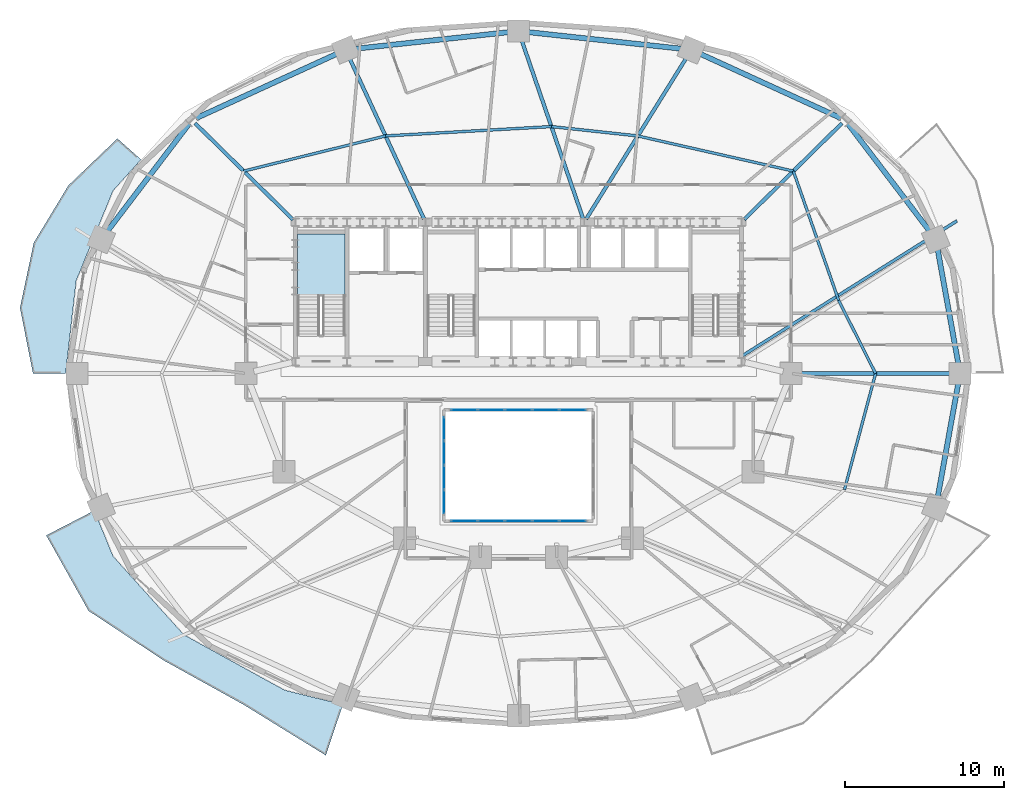
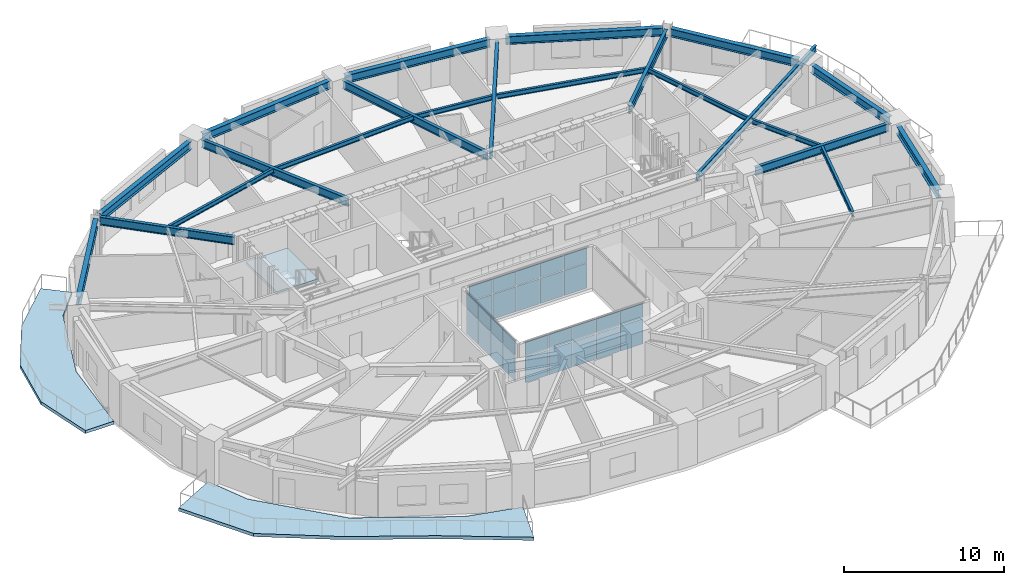
# One storey, part 6 of 16: 28 plates, 22 beams, 3 slabs, 4 elements without a shape of their own.
"""IFC4 building model written with IfcOpenShell, lengths in metres."""

from ifc_helpers import new_model, si_unit, direction, frame, origin, origin_2d, place, context, subcontext, project, spatial, polyline, rectangle, i_section, outline, extrude, material, layer, layer_set, material_profile, profile_set, type_object, element, aggregate, save


model = new_model("IFC4")

# Units and contexts
model_context = context("Model", 3, precision=1e-05, world=origin(), true_north=direction((0.0, 1.0)))
body_context = subcontext(model_context, "Body", "Model", "MODEL_VIEW")
ifc_project = project(units=[si_unit("LENGTHUNIT", "METRE"), si_unit("AREAUNIT", "SQUARE_METRE"), si_unit("VOLUMEUNIT", "CUBIC_METRE"), si_unit("PLANEANGLEUNIT", "RADIAN"), si_unit("MASSUNIT", "GRAM", prefix="KILO")], contexts=[model_context])

# Site, building, storey
site_placement = place(None, origin())
site = spatial("IfcSite", under=ifc_project, at=site_placement, CompositionType="ELEMENT")
building_placement = place(site_placement, origin())
building = spatial("IfcBuilding", under=site, at=building_placement, Name="Haldorwick Loom Tower", CompositionType="ELEMENT")
storey_placement = place(building_placement, frame((0.0, 0.0, 88.699951171875)))
storey = spatial("IfcBuildingStorey", under=building, at=storey_placement, Name="L23", CompositionType="ELEMENT", Elevation=88.699951171875)

# Beams
ifc_material_1 = material(Name="Steel CSA G40.21 350W", Category="steel")
ifc_material_profile_1 = material_profile(ifc_material_1, i_section(OverallWidth=0.193115234375, OverallDepth=0.466064453125, WebThickness=0.011474609375, FlangeThickness=0.01904296875, at=origin_2d()), Name="W460X97", Category="steel")
ifc_profile_set_1 = profile_set([ifc_material_profile_1], Name="Steel CSA G40.21 350W")
beam_type_1 = type_object("IfcBeamType", Name="STR-BM-BAL460", PredefinedType="BEAM", material=ifc_profile_set_1)
beam_1_placement = place(storey_placement, frame((50.111572265625, 27.106689453125, 2.97705078125), z_axis=(0.846609845451, 0.532214026108, 0.0), x_axis=(-0.532214026108, 0.846609845451, 0.0)))
element("IfcBeam", 1, at=beam_1_placement, inside=storey, type_object=beam_type_1, Name="L23 Continuous Back-Spanned Balcony Beam 4", PredefinedType="BEAM", context=body_context, shape_type="SweptSolid", body=[
    extrude(i_section(OverallWidth=0.193115234375, OverallDepth=0.466064453125, WebThickness=0.011474609375, FlangeThickness=0.01904296875, at=origin_2d()), origin(), (0.0, 0.0, 1.0), 16.0068359375),
])
ifc_material_profile_2 = material_profile(ifc_material_1, i_section(OverallWidth=0.172119140625, OverallDepth=0.35791015625, WebThickness=0.0078125, FlangeThickness=0.01318359375, at=origin_2d()), Name="W360X57", Category="steel")
ifc_profile_set_2 = profile_set([ifc_material_profile_2], Name="Steel CSA G40.21 350W")
beam_type_2 = type_object("IfcBeamType", Name="STR-BM-J360", PredefinedType="JOIST", material=ifc_profile_set_2)
beam_2_placement = place(storey_placement, frame((58.52880859375, 26.0, 3.031005859375), z_axis=(-0.451373231558, 0.892335254169, 0.0), x_axis=(-0.892335254169, -0.451373231558, 0.0)))
element("IfcBeam", 2, at=beam_2_placement, inside=storey, type_object=beam_type_2, Name="L23 Mid-Bay Secondary Joist 1", PredefinedType="JOIST", context=body_context, shape_type="SweptSolid", body=[
    extrude(i_section(OverallWidth=0.172119140625, OverallDepth=0.35791015625, WebThickness=0.0078125, FlangeThickness=0.01318359375, at=origin_2d()), origin(), (0.0, 0.0, 1.0), 5.158935546875),
])
beam_3_placement = place(storey_placement, frame((56.2001953125, 30.603515625, 3.031005859375), z_axis=(-0.330864603503, 0.943678236556, 0.0), x_axis=(-0.943678236556, -0.330864603503, 0.0)))
element("IfcBeam", 3, at=beam_3_placement, inside=storey, type_object=beam_type_2, Name="L23 Mid-Bay Secondary Joist 2", PredefinedType="JOIST", context=body_context, shape_type="SweptSolid", body=[
    extrude(i_section(OverallWidth=0.172119140625, OverallDepth=0.35791015625, WebThickness=0.0078125, FlangeThickness=0.01318359375, at=origin_2d()), origin(), (0.0, 0.0, 1.0), 8.6494140625),
])
beam_4_placement = place(storey_placement, frame((53.33837890625, 38.765869140625, 3.031005859375), z_axis=(-0.975380231772, 0.22052982444, 0.0), x_axis=(-0.22052982444, -0.975380231772, 0.0)))
element("IfcBeam", 4, at=beam_4_placement, inside=storey, type_object=beam_type_2, Name="L23 Mid-Bay Secondary Joist 3", PredefinedType="JOIST", context=body_context, shape_type="SweptSolid", body=[
    extrude(i_section(OverallWidth=0.172119140625, OverallDepth=0.35791015625, WebThickness=0.0078125, FlangeThickness=0.01318359375, at=origin_2d()), origin(), (0.0, 0.0, 1.0), 10.0576171875),
])
beam_5_placement = place(storey_placement, frame((43.5283203125, 40.98388671875, 3.031005859375), z_axis=(-0.994191869342, 0.107622148904, 0.0), x_axis=(-0.107622148904, -0.994191869342, 0.0)))
element("IfcBeam", 5, at=beam_5_placement, inside=storey, type_object=beam_type_2, Name="L23 Mid-Bay Secondary Joist 4", PredefinedType="JOIST", context=body_context, shape_type="SweptSolid", body=[
    extrude(i_section(OverallWidth=0.172119140625, OverallDepth=0.35791015625, WebThickness=0.0078125, FlangeThickness=0.01318359375, at=origin_2d()), origin(), (0.0, 0.0, 1.0), 5.485107421875),
])
beam_6_placement = place(storey_placement, frame((38.074951171875, 41.57421875, 3.031005859375), z_axis=(-0.998412171013, -0.056330602457, 0.0), x_axis=(0.056330602457, -0.998412171013, 0.0)))
element("IfcBeam", 6, at=beam_6_placement, inside=storey, type_object=beam_type_2, Name="L23 Mid-Bay Secondary Joist 5", PredefinedType="JOIST", context=body_context, shape_type="SweptSolid", body=[
    extrude(i_section(OverallWidth=0.172119140625, OverallDepth=0.35791015625, WebThickness=0.0078125, FlangeThickness=0.01318359375, at=origin_2d()), origin(), (0.0, 0.0, 1.0), 10.479736328125),
])
beam_7_placement = place(storey_placement, frame((27.61181640625, 40.98388671875, 3.031005859375), z_axis=(-0.970638838364, -0.240541567009, 0.0), x_axis=(0.240541567009, -0.970638838364, 0.0)))
element("IfcBeam", 7, at=beam_7_placement, inside=storey, type_object=beam_type_2, Name="L23 Mid-Bay Secondary Joist 6", PredefinedType="JOIST", context=body_context, shape_type="SweptSolid", body=[
    extrude(i_section(OverallWidth=0.172119140625, OverallDepth=0.35791015625, WebThickness=0.0078125, FlangeThickness=0.01318359375, at=origin_2d()), origin(), (0.0, 0.0, 1.0), 9.220947265625),
])
beam_8_placement = place(storey_placement, frame((56.565185546875, 18.67138671875, 3.031005859375), z_axis=(0.258810072536, 0.965928230436, 0.0), x_axis=(-0.965928230436, 0.258810072536, 0.0)))
element("IfcBeam", 8, at=beam_8_placement, inside=storey, type_object=beam_type_2, Name="L23 Mid-Bay Secondary Joist 16", PredefinedType="JOIST", context=body_context, shape_type="SweptSolid", body=[
    extrude(i_section(OverallWidth=0.172119140625, OverallDepth=0.35791015625, WebThickness=0.0078125, FlangeThickness=0.01318359375, at=origin_2d()), origin(), (0.0, 0.0, 1.0), 7.587158203125),
])
ifc_material_profile_3 = material_profile(ifc_material_1, i_section(OverallWidth=0.324951171875, OverallDepth=0.615966796875, WebThickness=0.013916015625, FlangeThickness=0.021484375, at=origin_2d()), Name="W610X174", Category="steel")
ifc_profile_set_3 = profile_set([ifc_material_profile_3], Name="Steel CSA G40.21 350W")
beam_type_3 = type_object("IfcBeamType", Name="STR-BM-SP610", PredefinedType="SPANDREL", material=ifc_profile_set_3)
beam_9_placement = place(storey_placement, frame((63.76513671875, 26.51171875, 2.902099609375), z_axis=(-0.177659490888, 0.984092020747, 0.0), x_axis=(-0.984092020747, -0.177659490888, 0.0)))
element("IfcBeam", 9, at=beam_9_placement, inside=storey, type_object=beam_type_3, Name="L23 Perimeter Spandrel 1", PredefinedType="SPANDREL", context=body_context, shape_type="SweptSolid", body=[
    extrude(i_section(OverallWidth=0.324951171875, OverallDepth=0.615966796875, WebThickness=0.013916015625, FlangeThickness=0.021484375, at=origin_2d()), origin(), (0.0, 0.0, 1.0), 7.553955078125),
])
beam_10_placement = place(storey_placement, frame((62.015869140625, 34.87109375, 2.902099609375), z_axis=(-0.605453508047, 0.795880675475, 0.0), x_axis=(-0.795880675475, -0.605453508047, 0.0)))
element("IfcBeam", 10, at=beam_10_placement, inside=storey, type_object=beam_type_3, Name="L23 Perimeter Spandrel 2", PredefinedType="SPANDREL", context=body_context, shape_type="SweptSolid", body=[
    extrude(i_section(OverallWidth=0.324951171875, OverallDepth=0.615966796875, WebThickness=0.013916015625, FlangeThickness=0.021484375, at=origin_2d()), origin(), (0.0, 0.0, 1.0), 8.6591796875),
])
beam_11_placement = place(storey_placement, frame((56.356689453125, 42.09619140625, 2.902099609375), z_axis=(-0.909423969306, 0.415870225011, 0.0), x_axis=(-0.415870225011, -0.909423969306, 0.0)))
element("IfcBeam", 11, at=beam_11_placement, inside=storey, type_object=beam_type_3, Name="L23 Perimeter Spandrel 3", PredefinedType="SPANDREL", context=body_context, shape_type="SweptSolid", body=[
    extrude(i_section(OverallWidth=0.324951171875, OverallDepth=0.615966796875, WebThickness=0.013916015625, FlangeThickness=0.021484375, at=origin_2d()), origin(), (0.0, 0.0, 1.0), 9.871337890625),
])
for number, where, z_axis, x_axis, name in (
    (12, (46.389404296875, 46.4736328125, 2.902099609375), (-0.994190135627, 0.107638163409, 0.0), (-0.107638163409, -0.994190135627, 0.0), "L23 Perimeter Spandrel 4"),
    (13, (35.48291015625, 47.54248046875, 2.902099609375), (-0.994190135627, -0.107638163409, 0.0), (0.107638163409, -0.994190135627, 0.0), "L23 Perimeter Spandrel 5"),
):
    element("IfcBeam", number, at=place(storey_placement, frame(where, z_axis=z_axis, x_axis=x_axis)), inside=storey, type_object=beam_type_3, Name=name, PredefinedType="SPANDREL", context=body_context, shape_type="SweptSolid", body=[
        extrude(i_section(OverallWidth=0.324951171875, OverallDepth=0.615966796875, WebThickness=0.013916015625, FlangeThickness=0.021484375, at=origin_2d()), origin(), (0.0, 0.0, 1.0), 9.929931640625),
    ])
beam_12_placement = place(storey_placement, frame((24.62060546875, 46.201416015625, 2.902099609375), z_axis=(-0.909423969306, -0.415870225011, 0.0), x_axis=(0.415870225011, -0.909423969306, 0.0)))
element("IfcBeam", 14, at=beam_12_placement, inside=storey, type_object=beam_type_3, Name="L23 Perimeter Spandrel 6", PredefinedType="SPANDREL", context=body_context, shape_type="SweptSolid", body=[
    extrude(i_section(OverallWidth=0.324951171875, OverallDepth=0.615966796875, WebThickness=0.013916015625, FlangeThickness=0.021484375, at=origin_2d()), origin(), (0.0, 0.0, 1.0), 9.871337890625),
])
beam_13_placement = place(storey_placement, frame((15.226806640625, 41.7626953125, 2.902099609375), z_axis=(-0.605453508047, -0.795880675475, 0.0), x_axis=(0.795880675475, -0.605453508047, 0.0)))
element("IfcBeam", 15, at=beam_13_placement, inside=storey, type_object=beam_type_3, Name="L23 Perimeter Spandrel 7", PredefinedType="SPANDREL", context=body_context, shape_type="SweptSolid", body=[
    extrude(i_section(OverallWidth=0.324951171875, OverallDepth=0.615966796875, WebThickness=0.013916015625, FlangeThickness=0.021484375, at=origin_2d()), origin(), (0.0, 0.0, 1.0), 8.6591796875),
])
beam_14_placement = place(storey_placement, frame((62.423095703125, 18.054443359375, 2.902099609375), z_axis=(0.177659490888, 0.984092020747, 0.0), x_axis=(-0.984092020747, 0.177659490888, 0.0)))
element("IfcBeam", 16, at=beam_14_placement, inside=storey, type_object=beam_type_3, Name="L23 Perimeter Spandrel 16", PredefinedType="SPANDREL", context=body_context, shape_type="SweptSolid", body=[
    extrude(i_section(OverallWidth=0.324951171875, OverallDepth=0.615966796875, WebThickness=0.013916015625, FlangeThickness=0.021484375, at=origin_2d()), origin(), (0.0, 0.0, 1.0), 7.553955078125),
])
ifc_material_profile_4 = material_profile(ifc_material_1, i_section(OverallWidth=0.22998046875, OverallDepth=0.616943359375, WebThickness=0.01318359375, FlangeThickness=0.022216796875, at=origin_2d()), Name="W610X140", Category="steel")
ifc_profile_set_4 = profile_set([ifc_material_profile_4], Name="Steel CSA G40.21 350W")
beam_type_4 = type_object("IfcBeamType", Name="STR-BM-W610B", PredefinedType="BEAM", material=ifc_profile_set_4)
beam_15_placement = place(storey_placement, frame((53.719970703125, 26.0, 2.901611328125), z_axis=(1.0, 0.0, 0.0), x_axis=(0.0, 1.0, 0.0)))
element("IfcBeam", 17, at=beam_15_placement, inside=storey, type_object=beam_type_4, Name="L23 Radial Floor Girder 1", PredefinedType="BEAM", context=body_context, shape_type="SweptSolid", body=[
    extrude(i_section(OverallWidth=0.22998046875, OverallDepth=0.616943359375, WebThickness=0.01318359375, FlangeThickness=0.022216796875, at=origin_2d()), origin(), (0.0, 0.0, 1.0), 9.61767578125),
])
beam_16_placement = place(storey_placement, frame((50.23046875, 35.707763671875, 2.901611328125), z_axis=(0.712813667541, 0.701353459653, 0.0), x_axis=(-0.701353459653, 0.712813667541, 0.0)))
element("IfcBeam", 18, at=beam_16_placement, inside=storey, type_object=beam_type_4, Name="L23 Radial Floor Girder 3", PredefinedType="BEAM", context=body_context, shape_type="SweptSolid", body=[
    extrude(i_section(OverallWidth=0.22998046875, OverallDepth=0.616943359375, WebThickness=0.01318359375, FlangeThickness=0.022216796875, at=origin_2d()), origin(), (0.0, 0.0, 1.0), 8.67041015625),
])
beam_17_placement = place(storey_placement, frame((40.268798828125, 35.7412109375, 2.901611328125), z_axis=(0.527983484361, 0.849254638046, 0.0), x_axis=(-0.849254638046, 0.527983484361, 0.0)))
element("IfcBeam", 19, at=beam_17_placement, inside=storey, type_object=beam_type_4, Name="L23 Radial Floor Girder 4", PredefinedType="BEAM", context=body_context, shape_type="SweptSolid", body=[
    extrude(i_section(OverallWidth=0.22998046875, OverallDepth=0.616943359375, WebThickness=0.01318359375, FlangeThickness=0.022216796875, at=origin_2d()), origin(), (0.0, 0.0, 1.0), 12.051513671875),
])
beam_18_placement = place(storey_placement, frame((40.07666015625, 35.7626953125, 2.901611328125), z_axis=(-0.325673980289, 0.945482130218, 0.0), x_axis=(-0.945482130218, -0.325673980289, 0.0)))
element("IfcBeam", 20, at=beam_18_placement, inside=storey, type_object=beam_type_4, Name="L23 Radial Floor Girder 5", PredefinedType="BEAM", context=body_context, shape_type="SweptSolid", body=[
    extrude(i_section(OverallWidth=0.22998046875, OverallDepth=0.616943359375, WebThickness=0.01318359375, FlangeThickness=0.022216796875, at=origin_2d()), origin(), (0.0, 0.0, 1.0), 11.998046875),
])
beam_19_placement = place(storey_placement, frame((30.035400390625, 35.754150390625, 2.901611328125), z_axis=(-0.420492432459, 0.907296045536, 0.0), x_axis=(-0.907296045536, -0.420492432459, 0.0)))
element("IfcBeam", 21, at=beam_19_placement, inside=storey, type_object=beam_type_4, Name="L23 Radial Floor Girder 6", PredefinedType="BEAM", context=body_context, shape_type="SweptSolid", body=[
    extrude(i_section(OverallWidth=0.22998046875, OverallDepth=0.616943359375, WebThickness=0.01318359375, FlangeThickness=0.022216796875, at=origin_2d()), origin(), (0.0, 0.0, 1.0), 11.23291015625),
])
beam_20_placement = place(storey_placement, frame((21.76953125, 35.707763671875, 2.901611328125), z_axis=(-0.712813667541, 0.701353459653, 0.0), x_axis=(-0.701353459653, -0.712813667541, 0.0)))
element("IfcBeam", 22, at=beam_20_placement, inside=storey, type_object=beam_type_4, Name="L23 Radial Floor Girder 7", PredefinedType="BEAM", context=body_context, shape_type="SweptSolid", body=[
    extrude(i_section(OverallWidth=0.22998046875, OverallDepth=0.616943359375, WebThickness=0.01318359375, FlangeThickness=0.022216796875, at=origin_2d()), origin(), (0.0, 0.0, 1.0), 8.67041015625),
])

# Curtain wall, plates
ifc_material_2 = material(Name="Thermally Broken Anodized Aluminium Curtain Wall Framing", Category="aluminium")
curtain_wall_type = type_object("IfcCurtainWallType", Name="ARC-CW-03", PredefinedType="NOTDEFINED", material=ifc_material_2)
curtain_wall_1_placement = place(storey_placement, origin())
curtain_wall_1 = element("IfcCurtainWall", 23, at=curtain_wall_1_placement, inside=storey, type_object=curtain_wall_type, Name="L23 Atrium Glazed Screen S", PredefinedType="NOTDEFINED")
ifc_material_3 = material(Name="Triple-Glazed Low-E Argon Insulated Glazing Unit", Category="glass")
ifc_layer_1 = layer(ifc_material_3, 0.04296875, Name="Triple-Glazed Low-E Argon Insulated Glazing Unit", Category="glass")
ifc_layer_set_1 = layer_set([ifc_layer_1], Name="Triple-Glazed Low-E Argon Insulated Glazing Unit")
plate_type = type_object("IfcPlateType", Name="ARC-CWP-03", PredefinedType="CURTAIN_PANEL", material=ifc_layer_set_1)
plate_1_placement = place(storey_placement, frame((39.423583984375, 16.699951171875, 0.066162109375), z_axis=(0.0, 0.0, 1.0), x_axis=(-1.0, 0.0, 0.0)))
plate_1 = element("IfcPlate", 24, at=plate_1_placement, type_object=plate_type, Name="CW-03 panel 1.1", PredefinedType="CURTAIN_PANEL", context=body_context, shape_type="SweptSolid", body=[
    extrude(rectangle(XDim=1.62109375, YDim=0.04296875, at=origin_2d()), origin(), (0.0, 0.0, 1.0), 1.90087890625),
])
plate_2_placement = place(storey_placement, frame((39.423583984375, 16.699951171875, 2.033203125), z_axis=(0.0, 0.0, 1.0), x_axis=(-1.0, 0.0, 0.0)))
plate_2 = element("IfcPlate", 25, at=plate_2_placement, type_object=plate_type, Name="CW-03 panel 1.2", PredefinedType="CURTAIN_PANEL", context=body_context, shape_type="SweptSolid", body=[
    extrude(rectangle(XDim=1.62109375, YDim=0.04296875, at=origin_2d()), origin(), (0.0, 0.0, 1.0), 1.111083984375),
])
plate_3_placement = place(storey_placement, frame((37.719970703125, 16.699951171875, 0.066162109375), z_axis=(0.0, 0.0, 1.0), x_axis=(-1.0, 0.0, 0.0)))
plate_3 = element("IfcPlate", 26, at=plate_3_placement, type_object=plate_type, Name="CW-03 panel 2.1", PredefinedType="CURTAIN_PANEL", context=body_context, shape_type="SweptSolid", body=[
    extrude(rectangle(XDim=1.654052734375, YDim=0.04296875, at=origin_2d()), origin(), (0.0, 0.0, 1.0), 1.90087890625),
])
plate_4_placement = place(storey_placement, frame((37.719970703125, 16.699951171875, 2.033203125), z_axis=(0.0, 0.0, 1.0), x_axis=(-1.0, 0.0, 0.0)))
plate_4 = element("IfcPlate", 27, at=plate_4_placement, type_object=plate_type, Name="CW-03 panel 2.2", PredefinedType="CURTAIN_PANEL", context=body_context, shape_type="SweptSolid", body=[
    extrude(rectangle(XDim=1.654052734375, YDim=0.04296875, at=origin_2d()), origin(), (0.0, 0.0, 1.0), 1.111083984375),
])
plate_5_placement = place(storey_placement, frame((36.0, 16.699951171875, 0.066162109375), z_axis=(0.0, 0.0, 1.0), x_axis=(-1.0, 0.0, 0.0)))
plate_5 = element("IfcPlate", 28, at=plate_5_placement, type_object=plate_type, Name="CW-03 panel 3.1", PredefinedType="CURTAIN_PANEL", context=body_context, shape_type="SweptSolid", body=[
    extrude(rectangle(XDim=1.654052734375, YDim=0.04296875, at=origin_2d()), origin(), (0.0, 0.0, 1.0), 1.90087890625),
])
plate_6_placement = place(storey_placement, frame((36.0, 16.699951171875, 2.033203125), z_axis=(0.0, 0.0, 1.0), x_axis=(-1.0, 0.0, 0.0)))
plate_6 = element("IfcPlate", 29, at=plate_6_placement, type_object=plate_type, Name="CW-03 panel 3.2", PredefinedType="CURTAIN_PANEL", context=body_context, shape_type="SweptSolid", body=[
    extrude(rectangle(XDim=1.654052734375, YDim=0.04296875, at=origin_2d()), origin(), (0.0, 0.0, 1.0), 1.111083984375),
])
plate_7_placement = place(storey_placement, frame((34.280029296875, 16.699951171875, 0.066162109375), z_axis=(0.0, 0.0, 1.0), x_axis=(-1.0, 0.0, 0.0)))
plate_7 = element("IfcPlate", 30, at=plate_7_placement, type_object=plate_type, Name="CW-03 panel 4.1", PredefinedType="CURTAIN_PANEL", context=body_context, shape_type="SweptSolid", body=[
    extrude(rectangle(XDim=1.654052734375, YDim=0.04296875, at=origin_2d()), origin(), (0.0, 0.0, 1.0), 1.90087890625),
])
plate_8_placement = place(storey_placement, frame((34.280029296875, 16.699951171875, 2.033203125), z_axis=(0.0, 0.0, 1.0), x_axis=(-1.0, 0.0, 0.0)))
plate_8 = element("IfcPlate", 31, at=plate_8_placement, type_object=plate_type, Name="CW-03 panel 4.2", PredefinedType="CURTAIN_PANEL", context=body_context, shape_type="SweptSolid", body=[
    extrude(rectangle(XDim=1.654052734375, YDim=0.04296875, at=origin_2d()), origin(), (0.0, 0.0, 1.0), 1.111083984375),
])
plate_9_placement = place(storey_placement, frame((32.576416015625, 16.699951171875, 0.066162109375), z_axis=(0.0, 0.0, 1.0), x_axis=(-1.0, 0.0, 0.0)))
plate_9 = element("IfcPlate", 32, at=plate_9_placement, type_object=plate_type, Name="CW-03 panel 5.1", PredefinedType="CURTAIN_PANEL", context=body_context, shape_type="SweptSolid", body=[
    extrude(rectangle(XDim=1.62109375, YDim=0.04296875, at=origin_2d()), origin(), (0.0, 0.0, 1.0), 1.90087890625),
])
plate_10_placement = place(storey_placement, frame((32.576416015625, 16.699951171875, 2.033203125), z_axis=(0.0, 0.0, 1.0), x_axis=(-1.0, 0.0, 0.0)))
plate_10 = element("IfcPlate", 33, at=plate_10_placement, type_object=plate_type, Name="CW-03 panel 5.2", PredefinedType="CURTAIN_PANEL", context=body_context, shape_type="SweptSolid", body=[
    extrude(rectangle(XDim=1.62109375, YDim=0.04296875, at=origin_2d()), origin(), (0.0, 0.0, 1.0), 1.111083984375),
])
aggregate(curtain_wall_1, [plate_1, plate_2, plate_3, plate_4, plate_5, plate_6, plate_7, plate_8, plate_9, plate_10])

curtain_wall_2_placement = place(storey_placement, origin())
curtain_wall_2 = element("IfcCurtainWall", 34, at=curtain_wall_2_placement, inside=storey, type_object=curtain_wall_type, Name="L23 Atrium Glazed Screen N", PredefinedType="NOTDEFINED")
plate_11_placement = place(storey_placement, frame((32.576416015625, 23.699951171875, 0.066162109375), z_axis=(0.0, 0.0, 1.0), x_axis=(1.0, 0.0, 0.0)))
plate_11 = element("IfcPlate", 35, at=plate_11_placement, type_object=plate_type, Name="CW-03 panel 1.1", PredefinedType="CURTAIN_PANEL", context=body_context, shape_type="SweptSolid", body=[
    extrude(rectangle(XDim=1.62109375, YDim=0.04296875, at=origin_2d()), origin(), (0.0, 0.0, 1.0), 1.90087890625),
])
plate_12_placement = place(storey_placement, frame((32.576416015625, 23.699951171875, 2.033203125), z_axis=(0.0, 0.0, 1.0), x_axis=(1.0, 0.0, 0.0)))
plate_12 = element("IfcPlate", 36, at=plate_12_placement, type_object=plate_type, Name="CW-03 panel 1.2", PredefinedType="CURTAIN_PANEL", context=body_context, shape_type="SweptSolid", body=[
    extrude(rectangle(XDim=1.62109375, YDim=0.04296875, at=origin_2d()), origin(), (0.0, 0.0, 1.0), 1.111083984375),
])
plate_13_placement = place(storey_placement, frame((34.280029296875, 23.699951171875, 0.066162109375), z_axis=(0.0, 0.0, 1.0), x_axis=(1.0, 0.0, 0.0)))
plate_13 = element("IfcPlate", 37, at=plate_13_placement, type_object=plate_type, Name="CW-03 panel 2.1", PredefinedType="CURTAIN_PANEL", context=body_context, shape_type="SweptSolid", body=[
    extrude(rectangle(XDim=1.654052734375, YDim=0.04296875, at=origin_2d()), origin(), (0.0, 0.0, 1.0), 1.90087890625),
])
plate_14_placement = place(storey_placement, frame((34.280029296875, 23.699951171875, 2.033203125), z_axis=(0.0, 0.0, 1.0), x_axis=(1.0, 0.0, 0.0)))
plate_14 = element("IfcPlate", 38, at=plate_14_placement, type_object=plate_type, Name="CW-03 panel 2.2", PredefinedType="CURTAIN_PANEL", context=body_context, shape_type="SweptSolid", body=[
    extrude(rectangle(XDim=1.654052734375, YDim=0.04296875, at=origin_2d()), origin(), (0.0, 0.0, 1.0), 1.111083984375),
])
plate_15_placement = place(storey_placement, frame((36.0, 23.699951171875, 0.066162109375), z_axis=(0.0, 0.0, 1.0), x_axis=(1.0, 0.0, 0.0)))
plate_15 = element("IfcPlate", 39, at=plate_15_placement, type_object=plate_type, Name="CW-03 panel 3.1", PredefinedType="CURTAIN_PANEL", context=body_context, shape_type="SweptSolid", body=[
    extrude(rectangle(XDim=1.654052734375, YDim=0.04296875, at=origin_2d()), origin(), (0.0, 0.0, 1.0), 1.90087890625),
])
plate_16_placement = place(storey_placement, frame((36.0, 23.699951171875, 2.033203125), z_axis=(0.0, 0.0, 1.0), x_axis=(1.0, 0.0, 0.0)))
plate_16 = element("IfcPlate", 40, at=plate_16_placement, type_object=plate_type, Name="CW-03 panel 3.2", PredefinedType="CURTAIN_PANEL", context=body_context, shape_type="SweptSolid", body=[
    extrude(rectangle(XDim=1.654052734375, YDim=0.04296875, at=origin_2d()), origin(), (0.0, 0.0, 1.0), 1.111083984375),
])
plate_17_placement = place(storey_placement, frame((37.719970703125, 23.699951171875, 0.066162109375), z_axis=(0.0, 0.0, 1.0), x_axis=(1.0, 0.0, 0.0)))
plate_17 = element("IfcPlate", 41, at=plate_17_placement, type_object=plate_type, Name="CW-03 panel 4.1", PredefinedType="CURTAIN_PANEL", context=body_context, shape_type="SweptSolid", body=[
    extrude(rectangle(XDim=1.654052734375, YDim=0.04296875, at=origin_2d()), origin(), (0.0, 0.0, 1.0), 1.90087890625),
])
plate_18_placement = place(storey_placement, frame((37.719970703125, 23.699951171875, 2.033203125), z_axis=(0.0, 0.0, 1.0), x_axis=(1.0, 0.0, 0.0)))
plate_18 = element("IfcPlate", 42, at=plate_18_placement, type_object=plate_type, Name="CW-03 panel 4.2", PredefinedType="CURTAIN_PANEL", context=body_context, shape_type="SweptSolid", body=[
    extrude(rectangle(XDim=1.654052734375, YDim=0.04296875, at=origin_2d()), origin(), (0.0, 0.0, 1.0), 1.111083984375),
])
plate_19_placement = place(storey_placement, frame((39.423583984375, 23.699951171875, 0.066162109375), z_axis=(0.0, 0.0, 1.0), x_axis=(1.0, 0.0, 0.0)))
plate_19 = element("IfcPlate", 43, at=plate_19_placement, type_object=plate_type, Name="CW-03 panel 5.1", PredefinedType="CURTAIN_PANEL", context=body_context, shape_type="SweptSolid", body=[
    extrude(rectangle(XDim=1.62109375, YDim=0.04296875, at=origin_2d()), origin(), (0.0, 0.0, 1.0), 1.90087890625),
])
plate_20_placement = place(storey_placement, frame((39.423583984375, 23.699951171875, 2.033203125), z_axis=(0.0, 0.0, 1.0), x_axis=(1.0, 0.0, 0.0)))
plate_20 = element("IfcPlate", 44, at=plate_20_placement, type_object=plate_type, Name="CW-03 panel 5.2", PredefinedType="CURTAIN_PANEL", context=body_context, shape_type="SweptSolid", body=[
    extrude(rectangle(XDim=1.62109375, YDim=0.04296875, at=origin_2d()), origin(), (0.0, 0.0, 1.0), 1.111083984375),
])
aggregate(curtain_wall_2, [plate_11, plate_12, plate_13, plate_14, plate_15, plate_16, plate_17, plate_18, plate_19, plate_20])

curtain_wall_3_placement = place(storey_placement, origin())
curtain_wall_3 = element("IfcCurtainWall", 45, at=curtain_wall_3_placement, inside=storey, type_object=curtain_wall_type, Name="L23 Atrium Glazed Screen W", PredefinedType="NOTDEFINED")
plate_21_placement = place(storey_placement, frame((31.300048828125, 17.8916015625, 0.066162109375), z_axis=(0.0, 0.0, 1.0), x_axis=(0.0, 1.0, 0.0)))
plate_21 = element("IfcPlate", 46, at=plate_21_placement, type_object=plate_type, Name="CW-03 panel 1.1", PredefinedType="CURTAIN_PANEL", context=body_context, shape_type="SweptSolid", body=[
    extrude(rectangle(XDim=1.450927734375, YDim=0.04296875, at=origin_2d()), origin(), (0.0, 0.0, 1.0), 1.90087890625),
])
plate_22_placement = place(storey_placement, frame((31.300048828125, 17.8916015625, 2.033203125), z_axis=(0.0, 0.0, 1.0), x_axis=(0.0, 1.0, 0.0)))
plate_22 = element("IfcPlate", 47, at=plate_22_placement, type_object=plate_type, Name="CW-03 panel 1.2", PredefinedType="CURTAIN_PANEL", context=body_context, shape_type="SweptSolid", body=[
    extrude(rectangle(XDim=1.450927734375, YDim=0.04296875, at=origin_2d()), origin(), (0.0, 0.0, 1.0), 1.111083984375),
])
plate_23_placement = place(storey_placement, frame((31.300048828125, 19.425048828125, 0.066162109375), z_axis=(0.0, 0.0, 1.0), x_axis=(0.0, 1.0, 0.0)))
plate_23 = element("IfcPlate", 48, at=plate_23_placement, type_object=plate_type, Name="CW-03 panel 2.1", PredefinedType="CURTAIN_PANEL", context=body_context, shape_type="SweptSolid", body=[
    extrude(rectangle(XDim=1.48388671875, YDim=0.04296875, at=origin_2d()), origin(), (0.0, 0.0, 1.0), 1.90087890625),
])
plate_24_placement = place(storey_placement, frame((31.300048828125, 19.425048828125, 2.033203125), z_axis=(0.0, 0.0, 1.0), x_axis=(0.0, 1.0, 0.0)))
plate_24 = element("IfcPlate", 49, at=plate_24_placement, type_object=plate_type, Name="CW-03 panel 2.2", PredefinedType="CURTAIN_PANEL", context=body_context, shape_type="SweptSolid", body=[
    extrude(rectangle(XDim=1.48388671875, YDim=0.04296875, at=origin_2d()), origin(), (0.0, 0.0, 1.0), 1.111083984375),
])
plate_25_placement = place(storey_placement, frame((31.300048828125, 20.97509765625, 0.066162109375), z_axis=(0.0, 0.0, 1.0), x_axis=(0.0, 1.0, 0.0)))
plate_25 = element("IfcPlate", 50, at=plate_25_placement, type_object=plate_type, Name="CW-03 panel 3.1", PredefinedType="CURTAIN_PANEL", context=body_context, shape_type="SweptSolid", body=[
    extrude(rectangle(XDim=1.48388671875, YDim=0.04296875, at=origin_2d()), origin(), (0.0, 0.0, 1.0), 1.90087890625),
])
plate_26_placement = place(storey_placement, frame((31.300048828125, 20.97509765625, 2.033203125), z_axis=(0.0, 0.0, 1.0), x_axis=(0.0, 1.0, 0.0)))
plate_26 = element("IfcPlate", 51, at=plate_26_placement, type_object=plate_type, Name="CW-03 panel 3.2", PredefinedType="CURTAIN_PANEL", context=body_context, shape_type="SweptSolid", body=[
    extrude(rectangle(XDim=1.48388671875, YDim=0.04296875, at=origin_2d()), origin(), (0.0, 0.0, 1.0), 1.111083984375),
])
plate_27_placement = place(storey_placement, frame((31.300048828125, 22.508544921875, 0.066162109375), z_axis=(0.0, 0.0, 1.0), x_axis=(0.0, 1.0, 0.0)))
plate_27 = element("IfcPlate", 52, at=plate_27_placement, type_object=plate_type, Name="CW-03 panel 4.1", PredefinedType="CURTAIN_PANEL", context=body_context, shape_type="SweptSolid", body=[
    extrude(rectangle(XDim=1.450927734375, YDim=0.04296875, at=origin_2d()), origin(), (0.0, 0.0, 1.0), 1.90087890625),
])
plate_28_placement = place(storey_placement, frame((31.300048828125, 22.508544921875, 2.033203125), z_axis=(0.0, 0.0, 1.0), x_axis=(0.0, 1.0, 0.0)))
plate_28 = element("IfcPlate", 53, at=plate_28_placement, type_object=plate_type, Name="CW-03 panel 4.2", PredefinedType="CURTAIN_PANEL", context=body_context, shape_type="SweptSolid", body=[
    extrude(rectangle(XDim=1.450927734375, YDim=0.04296875, at=origin_2d()), origin(), (0.0, 0.0, 1.0), 1.111083984375),
])
aggregate(curtain_wall_3, [plate_21, plate_22, plate_23, plate_24, plate_25, plate_26, plate_27, plate_28])

# Slabs
ifc_material_4 = material(Name="Concrete C40 (40 MPa)", Category="concrete")
ifc_layer_2 = layer(ifc_material_4, 0.239990234375, Name="Concrete C40 (40 MPa)", Category="concrete")
ifc_layer_set_2 = layer_set([ifc_layer_2], Name="Concrete C40 (40 MPa)")
slab_type_1 = type_object("IfcSlabType", Name="STR-SLB-BAL240", PredefinedType="FLOOR", material=ifc_layer_set_2)
slab_1_placement = place(storey_placement, frame((0.0, 0.0, -0.239990234375)))
element("IfcSlab", 54, at=slab_1_placement, inside=storey, type_object=slab_type_1, Name="L23 Sinusoidal Balcony Terrace BAL_SW", PredefinedType="FLOOR", context=body_context, shape_type="SweptSolid", body=[
    extrude(outline(polyline([(24.91357421875, 5.10498046875), (21.23583984375, 6.022705078125), (21.234619140625, 6.023193359375), (21.2333984375, 6.023681640625), (21.232177734375, 6.0244140625), (14.89111328125, 9.51025390625), (14.8896484375, 9.510986328125), (14.88818359375, 9.51220703125), (14.88720703125, 9.51318359375), (10.4228515625, 14.464599609375), (10.421875, 14.465576171875), (10.421142578125, 14.466552734375), (10.420654296875, 14.4677734375), (10.419921875, 14.468994140625), (9.241455078125, 17.34814453125), (6.2060546875, 15.780517578125), (8.8740234375, 11.02294921875), (13.623291015625, 7.890380859375), (18.6640625, 5.097412109375), (23.844482421875, 1.90185546875), (24.91357421875, 5.10498046875)])), origin(), (0.0, 0.0, 1.0), 0.239990234375),
])
slab_2_placement = place(storey_placement, frame((0.0, 0.0, -0.239990234375)))
element("IfcSlab", 55, at=slab_2_placement, inside=storey, type_object=slab_type_1, Name="L23 Sinusoidal Balcony Terrace BAL_WNW", PredefinedType="FLOOR", context=body_context, shape_type="SweptSolid", body=[
    extrude(outline(polyline([(7.427490234375, 26.0), (7.427490234375, 26.001708984375), (8.09033203125, 31.837890625), (8.090576171875, 31.83935546875), (8.0908203125, 31.840576171875), (8.09130859375, 31.841796875), (10.419921875, 37.531005859375), (10.420654296875, 37.5322265625), (10.421142578125, 37.533447265625), (10.421875, 37.534423828125), (10.4228515625, 37.535400390625), (12.185791015625, 39.490966796875), (10.6923828125, 40.816162109375), (7.603271484375, 37.858642578125), (5.41748046875, 34.246337890625), (4.548095703125, 30.13720703125), (5.370849609375, 26.0), (7.427490234375, 26.0)])), origin(), (0.0, 0.0, 1.0), 0.239990234375),
])

# Stair, slab
stair_type = type_object("IfcStairType", Name="STR-STR-CORE", PredefinedType="HALF_TURN_STAIR", material=ifc_material_4)
stair_placement = place(storey_placement, origin())
stair = element("IfcStair", 56, at=stair_placement, inside=storey, type_object=stair_type, Name="L23 Exit Stair ST-01", PredefinedType="HALF_TURN_STAIR")
ifc_layer_3 = layer(ifc_material_4, 0.199951171875, Name="Concrete C40 (40 MPa)", Category="concrete")
ifc_layer_set_3 = layer_set([ifc_layer_3], Name="Concrete C40 (40 MPa)")
slab_type_2 = type_object("IfcSlabType", Name="STR-SLB-LAND200", PredefinedType="LANDING", material=ifc_layer_set_3)
slab_3_placement = place(storey_placement, frame((0.0, 0.0, 1.525146484375)))
slab_3 = element("IfcSlab", 57, at=slab_3_placement, type_object=slab_type_2, Name="ST-01 landing 1", PredefinedType="LANDING", context=body_context, shape_type="SweptSolid", body=[
    extrude(outline(polyline([(25.050048828125, 30.919921875), (25.050048828125, 34.800048828125), (22.050048828125, 34.800048828125), (22.050048828125, 30.919921875), (25.050048828125, 30.919921875)])), origin(), (0.0, 0.0, 1.0), 0.199951171875),
])
aggregate(stair, [slab_3])

save(model, "model.ifc")
